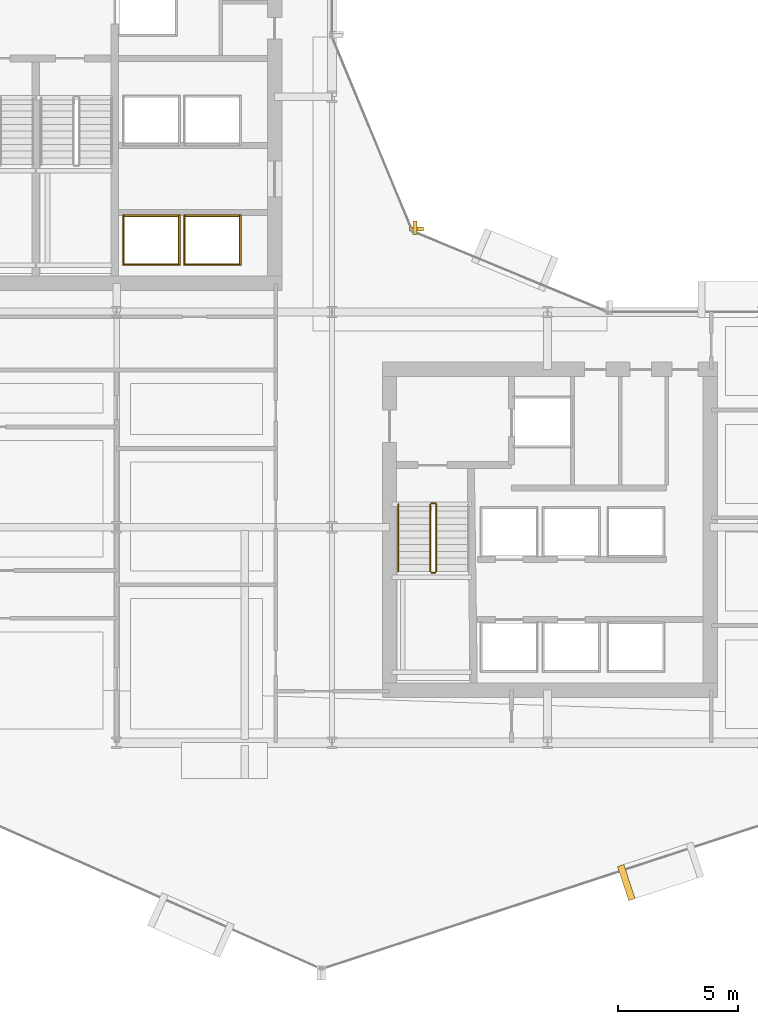
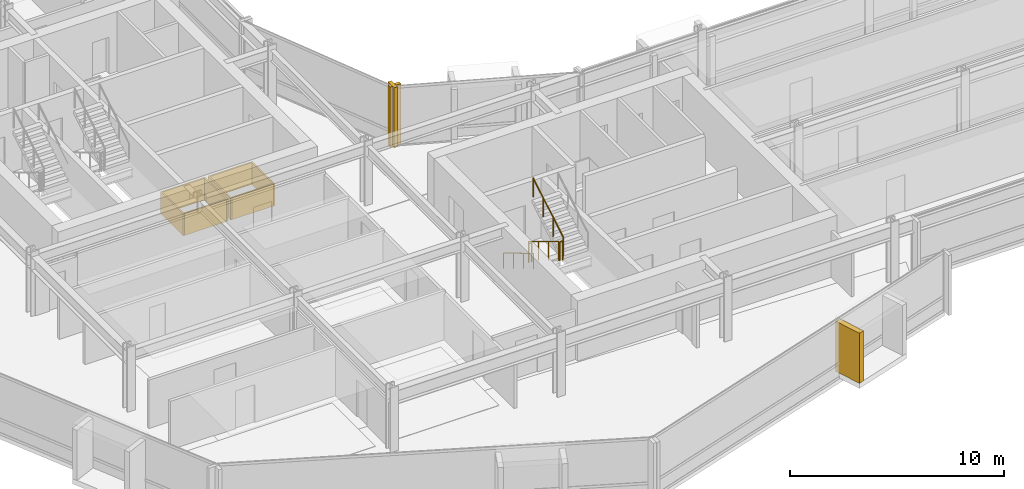
# One storey, part 31 of 34: 11 coverings, 5 railings.
"""IFC4 building model written with IfcOpenShell, lengths in metres."""

from ifc_helpers import new_model, si_unit, direction, frame, origin, origin_2d, place, context, subcontext, project, spatial, rectangle, circle, extrude, material, layer, layer_set, type_object, element, save


model = new_model("IFC4")

# Units and contexts
model_context = context("Model", 3, precision=1e-05, world=origin(), true_north=direction((0.0, 1.0)))
body_context = subcontext(model_context, "Body", "Model", "MODEL_VIEW")
ifc_project = project(units=[si_unit("LENGTHUNIT", "METRE"), si_unit("AREAUNIT", "SQUARE_METRE"), si_unit("VOLUMEUNIT", "CUBIC_METRE"), si_unit("PLANEANGLEUNIT", "RADIAN"), si_unit("MASSUNIT", "GRAM", prefix="KILO")], contexts=[model_context])

# Site, building, storey
site_placement = place(None, origin())
site = spatial("IfcSite", under=ifc_project, at=site_placement, CompositionType="ELEMENT")
building_placement = place(site_placement, origin())
building = spatial("IfcBuilding", under=site, at=building_placement, Name="Solvaryn Broadcast Tower", CompositionType="ELEMENT")
storey_placement = place(building_placement, frame((0.0, 0.0, 92.800048828125)))
storey = spatial("IfcBuildingStorey", under=building, at=storey_placement, Name="L22", CompositionType="ELEMENT", Elevation=92.800048828125)

# Coverings
ifc_material_1 = material(Name="Fire-Rated Gypsum Shaftwall Liner", Category="concrete")
ifc_layer_1 = layer(ifc_material_1, 0.080078125)
ifc_layer_set_1 = layer_set([ifc_layer_1], Name="CV-SHAFT-LINER")
covering_type_1 = type_object("IfcCoveringType", Name="CV-SHAFT-LINER", PredefinedType="CLADDING", material=ifc_layer_set_1)
for number, where, z_axis, x_axis, name in (
    (1, (19.449951171875, 31.014892578125, 0.0), (0.0, 0.0, 1.0), (1.0, 0.0, 0.0), "L22 PH1 Hoistway Shaft Liner North"),
    (2, (19.449951171875, 28.985107421875, 0.0), (0.0, 0.0, 1.0), (1.0, 0.0, 0.0), "L22 PH1 Hoistway Shaft Liner South"),
):
    element("IfcCovering", number, at=place(storey_placement, frame(where, z_axis=z_axis, x_axis=x_axis)), inside=storey, type_object=covering_type_1, Name=name, PredefinedType="CLADDING", context=body_context, shape_type="SweptSolid", body=[
        extrude(rectangle(XDim=2.409912109375, YDim=0.080078125, at=origin_2d()), origin(), (0.0, 0.0, 1.0), 1.25),
    ])
for number, where, z_axis, x_axis, name in (
    (3, (20.614990234375, 30.0, 0.0), (0.0, 0.0, 1.0), (1.0, 0.0, 0.0), "L22 PH1 Hoistway Shaft Liner East"),
    (4, (18.284912109375, 30.0, 0.0), (0.0, 0.0, 1.0), (1.0, 0.0, 0.0), "L22 PH1 Hoistway Shaft Liner West"),
):
    element("IfcCovering", number, at=place(storey_placement, frame(where, z_axis=z_axis, x_axis=x_axis)), inside=storey, type_object=covering_type_1, Name=name, PredefinedType="CLADDING", context=body_context, shape_type="SweptSolid", body=[
        extrude(rectangle(XDim=0.080078125, YDim=2.110107421875, at=origin_2d()), origin(), (0.0, 0.0, 1.0), 1.25),
    ])
for number, where, z_axis, x_axis, name in (
    (5, (22.0, 31.014892578125, 0.0), (0.0, 0.0, 1.0), (1.0, 0.0, 0.0), "L22 PH2 Hoistway Shaft Liner North"),
    (6, (22.0, 28.985107421875, 0.0), (0.0, 0.0, 1.0), (1.0, 0.0, 0.0), "L22 PH2 Hoistway Shaft Liner South"),
):
    element("IfcCovering", number, at=place(storey_placement, frame(where, z_axis=z_axis, x_axis=x_axis)), inside=storey, type_object=covering_type_1, Name=name, PredefinedType="CLADDING", context=body_context, shape_type="SweptSolid", body=[
        extrude(rectangle(XDim=2.409912109375, YDim=0.080078125, at=origin_2d()), origin(), (0.0, 0.0, 1.0), 1.25),
    ])
for number, where, z_axis, x_axis, name in (
    (7, (23.1650390625, 30.0, 0.0), (0.0, 0.0, 1.0), (1.0, 0.0, 0.0), "L22 PH2 Hoistway Shaft Liner East"),
    (8, (20.8349609375, 30.0, 0.0), (0.0, 0.0, 1.0), (1.0, 0.0, 0.0), "L22 PH2 Hoistway Shaft Liner West"),
):
    element("IfcCovering", number, at=place(storey_placement, frame(where, z_axis=z_axis, x_axis=x_axis)), inside=storey, type_object=covering_type_1, Name=name, PredefinedType="CLADDING", context=body_context, shape_type="SweptSolid", body=[
        extrude(rectangle(XDim=0.080078125, YDim=2.110107421875, at=origin_2d()), origin(), (0.0, 0.0, 1.0), 1.25),
    ])
ifc_material_2 = material(Name="Glazed Architectural Terracotta Rainscreen Cladding", Category="masonry")
ifc_layer_2 = layer(ifc_material_2, 0.280029296875)
ifc_layer_set_2 = layer_set([ifc_layer_2], Name="CV-TC-CLAD")
covering_type_2 = type_object("IfcCoveringType", Name="CV-TC-CLAD", PredefinedType="CLADDING", material=ifc_layer_set_2)
covering_1_placement = place(storey_placement, frame((39.298095703125, 3.155517578125, 0.27978515625), z_axis=(0.0, 0.0, 1.0), x_axis=(0.950189870912, 0.311671636848, 0.0)))
element("IfcCovering", 9, at=covering_1_placement, inside=storey, type_object=covering_type_2, Name="L22 Projecting Stone Window Box Cheek 4-1", PredefinedType="CLADDING", context=body_context, shape_type="SweptSolid", body=[
    extrude(rectangle(XDim=0.280029296875, YDim=1.5, at=origin_2d()), origin(), (0.0, 0.0, 1.0), 2.860107421875),
])
ifc_material_3 = material(Name="Extruded Architectural Terracotta Fin", Category="masonry")
ifc_layer_3 = layer(ifc_material_3, 0.179931640625)
ifc_layer_set_3 = layer_set([ifc_layer_3], Name="CV-TC-FIN")
covering_type_3 = type_object("IfcCoveringType", Name="CV-TC-FIN", PredefinedType="USERDEFINED", material=ifc_layer_set_3)
covering_2_placement = place(storey_placement, frame((30.464599609375, 30.52294921875, 0.0), z_axis=(0.0, 0.0, 1.0), x_axis=(1.0, 0.0, 0.0)))
element("IfcCovering", 10, at=covering_2_placement, inside=storey, type_object=covering_type_3, Name="L22 Terracotta Vertical Fin FIN-L22-CN1-M01", ObjectType="FIN", PredefinedType="USERDEFINED", context=body_context, shape_type="SweptSolid", body=[
    extrude(rectangle(XDim=0.179931640625, YDim=0.580078125, at=origin_2d()), origin(), (0.0, 0.0, 1.0), 3.419921875),
])
covering_3_placement = place(storey_placement, frame((30.52294921875, 30.464599609375, 0.0), z_axis=(0.0, 0.0, 1.0), x_axis=(1.0, 0.0, 0.0)))
element("IfcCovering", 11, at=covering_3_placement, inside=storey, type_object=covering_type_3, Name="L22 Terracotta Vertical Fin FIN-L22-CN2-M00", ObjectType="FIN", PredefinedType="USERDEFINED", context=body_context, shape_type="SweptSolid", body=[
    extrude(rectangle(XDim=0.580078125, YDim=0.179931640625, at=origin_2d()), origin(), (0.0, 0.0, 1.0), 3.419921875),
])

# Railings
ifc_material_4 = material(Name="Painted Steel Stair Well Guard", Category="steel")
railing_type_1 = type_object("IfcRailingType", Name="RL-STAIR-GUARD", PredefinedType="BALUSTRADE", material=ifc_material_4)
railing_1_placement = place(storey_placement, frame((31.110107421875, 18.9599609375, 0.168212890625)))
element("IfcRailing", 12, at=railing_1_placement, inside=storey, type_object=railing_type_1, Name="L22 ST3 stair guard 1", PredefinedType="BALUSTRADE", context=body_context, shape_type="SweptSolid", body=[
    extrude(circle(Radius=0.02392578125, at=origin_2d()), frame((0.0, 0.0, 1.076171875), z_axis=(0.0, -0.857275202839, 0.514858452973), x_axis=(1.0, 0.0, 0.0)), (0.0, 0.0, 1.0), 3.26611328125),
    extrude(circle(Radius=0.02099609375, at=origin_2d()), origin(), (0.0, 0.0, 1.0), 1.052001953125),
    extrude(circle(Radius=0.02099609375, at=origin_2d()), frame((0.0, -0.933349609375, 0.560546875)), (0.0, 0.0, 1.0), 1.052001953125),
    extrude(circle(Radius=0.02099609375, at=origin_2d()), frame((0.0, -1.86669921875, 1.12109375)), (0.0, 0.0, 1.0), 1.052001953125),
    extrude(circle(Radius=0.02099609375, at=origin_2d()), frame((0.0, -2.800048828125, 1.681640625)), (0.0, 0.0, 1.0), 1.052001953125),
])
railing_2_placement = place(storey_placement, frame((31.159912109375, 16.110107421875, 1.849853515625)))
element("IfcRailing", 13, at=railing_2_placement, inside=storey, type_object=railing_type_1, Name="L22 ST3 stair guard 2", PredefinedType="BALUSTRADE", context=body_context, shape_type="SweptSolid", body=[
    extrude(circle(Radius=0.02392578125, at=origin_2d()), frame((0.0, 0.0, 1.076171875), z_axis=(1.0, 0.0, 0.0), x_axis=(0.0, 1.0, 0.0)), (0.0, 0.0, 1.0), 0.150146484375),
    extrude(circle(Radius=0.02099609375, at=origin_2d()), origin(), (0.0, 0.0, 1.0), 1.052001953125),
    extrude(circle(Radius=0.02099609375, at=origin_2d()), frame((0.150146484375, 0.0, 0.0)), (0.0, 0.0, 1.0), 1.052001953125),
])
railing_3_placement = place(storey_placement, frame((31.360107421875, 16.159912109375, 2.01806640625)))
element("IfcRailing", 14, at=railing_3_placement, inside=storey, type_object=railing_type_1, Name="L22 ST3 stair guard 3", PredefinedType="BALUSTRADE", context=body_context, shape_type="SweptSolid", body=[
    extrude(circle(Radius=0.02392578125, at=origin_2d()), frame((0.0, 0.0, 1.076171875), z_axis=(0.0, 0.857242210791, 0.514913383045), x_axis=(-1.0, 0.0, 0.0)), (0.0, 0.0, 1.0), 3.266357421875),
    extrude(circle(Radius=0.02099609375, at=origin_2d()), origin(), (0.0, 0.0, 1.0), 1.052001953125),
    extrude(circle(Radius=0.02099609375, at=origin_2d()), frame((0.0, 0.933349609375, 0.560546875)), (0.0, 0.0, 1.0), 1.052001953125),
    extrude(circle(Radius=0.02099609375, at=origin_2d()), frame((0.0, 1.86669921875, 1.121337890625)), (0.0, 0.0, 1.0), 1.052001953125),
    extrude(circle(Radius=0.02099609375, at=origin_2d()), frame((0.0, 2.800048828125, 1.681884765625)), (0.0, 0.0, 1.0), 1.052001953125),
])
railing_4_placement = place(storey_placement, frame((31.159912109375, 19.010009765625, 0.0)))
element("IfcRailing", 15, at=railing_4_placement, inside=storey, type_object=railing_type_1, Name="L22 ST3 stair guard 4", PredefinedType="BALUSTRADE", context=body_context, shape_type="SweptSolid", body=[
    extrude(circle(Radius=0.02392578125, at=origin_2d()), frame((0.0, 0.0, 1.076171875), z_axis=(1.0, 0.0, 0.0), x_axis=(0.0, 1.0, 0.0)), (0.0, 0.0, 1.0), 0.150146484375),
    extrude(circle(Radius=0.02099609375, at=origin_2d()), origin(), (0.0, 0.0, 1.0), 1.052001953125),
    extrude(circle(Radius=0.02099609375, at=origin_2d()), frame((0.150146484375, 0.0, 0.0)), (0.0, 0.0, 1.0), 1.052001953125),
])
ifc_material_5 = material(Name="Brushed Stainless Steel Tubular Handrail", Category="steel")
railing_type_2 = type_object("IfcRailingType", Name="RL-STAIR-HANDRAIL", PredefinedType="HANDRAIL", material=ifc_material_5)
railing_5_placement = place(storey_placement, frame((29.77001953125, 18.9599609375, 0.168212890625)))
element("IfcRailing", 16, at=railing_5_placement, inside=storey, type_object=railing_type_2, Name="L22 ST3 stair handrail 1", PredefinedType="HANDRAIL", context=body_context, shape_type="SweptSolid", body=[
    extrude(circle(Radius=0.02392578125, at=origin_2d()), frame((0.0, 0.0, 0.8759765625), z_axis=(0.0, -0.857275202839, 0.514858452973), x_axis=(1.0, 0.0, 0.0)), (0.0, 0.0, 1.0), 3.26611328125),
    extrude(circle(Radius=0.02099609375, at=origin_2d()), origin(), (0.0, 0.0, 1.0), 0.851806640625),
    extrude(circle(Radius=0.02099609375, at=origin_2d()), frame((0.0, -0.933349609375, 0.560546875)), (0.0, 0.0, 1.0), 0.851806640625),
    extrude(circle(Radius=0.02099609375, at=origin_2d()), frame((0.0, -1.86669921875, 1.12109375)), (0.0, 0.0, 1.0), 0.851806640625),
    extrude(circle(Radius=0.02099609375, at=origin_2d()), frame((0.0, -2.800048828125, 1.681640625)), (0.0, 0.0, 1.0), 0.851806640625),
])

save(model, "model.ifc")
